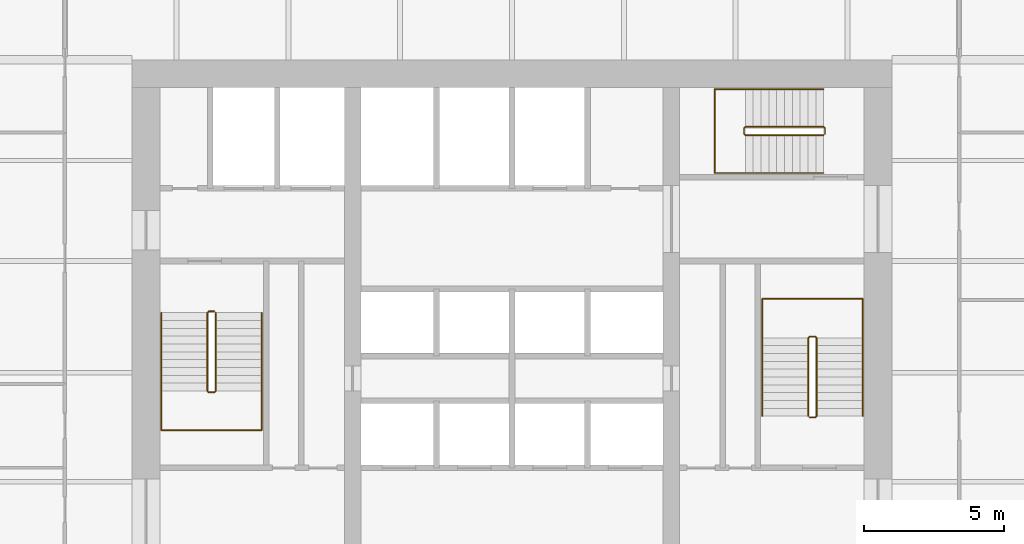
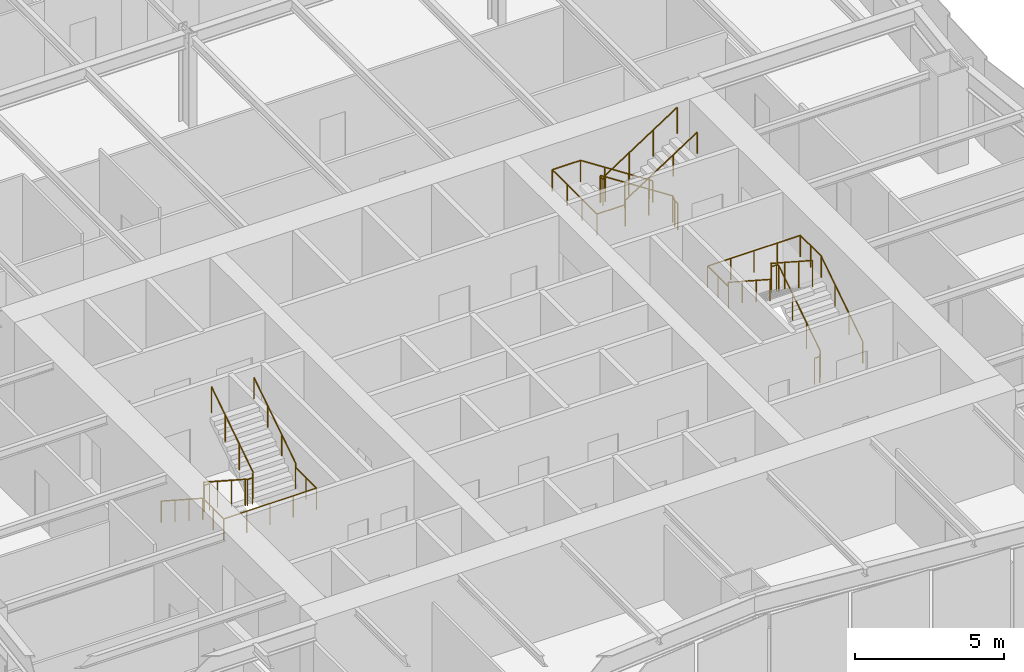
# One storey, part 8 of 8: 6 railings.
"""IFC4 building model written with IfcOpenShell, lengths in metres."""

import ifcopenshell
import ifcopenshell.guid

model = None  # the IFC model being written
_history = None  # IfcOwnerHistory: only IFC2X3 demands one
_inside = {}  # id of a spatial element -> (the spatial element, [elements in it])
_under = {}  # id of a project, library or spatial element -> (it, [spatial elements below it])
_declared = {}  # id of a project -> (the project, [libraries it declares])
_typed = {}  # id of a type object -> (the type object, [elements of that type])
_made_of = {}  # id of a material, layer set ... -> (it, [elements and type objects made of it])


def new_model(schema):
    """Start an empty IFC model of exactly this schema.

    Asked for "IFC4X3", IfcOpenShell would pick the latest addendum, in which some entities
    have other attributes; the version numbers below select the first issue.
    IFC2X3 requires an IfcOwnerHistory on every rooted entity: one is made here for all.
    """
    global model, _history
    if schema == "IFC4X3":
        model = ifcopenshell.file(schema_version=(4, 3, 0, 0))
    else:
        model = ifcopenshell.file(schema=schema)
    _inside.clear()
    _under.clear()
    _declared.clear()
    _typed.clear()
    _made_of.clear()
    _history = None
    if model.schema == "IFC2X3":
        org = make("IfcOrganization", Name="unknown")
        user = make(
            "IfcPersonAndOrganization",
            ThePerson=make("IfcPerson", FamilyName="unknown"),
            TheOrganization=org,
        )
        app = make(
            "IfcApplication",
            ApplicationDeveloper=org,
            Version="unknown",
            ApplicationFullName="unknown",
            ApplicationIdentifier="unknown",
        )
        _history = make(
            "IfcOwnerHistory",
            OwningUser=user,
            OwningApplication=app,
            ChangeAction="ADDED",
            CreationDate=0,
        )
    return model


def make(cls, **values):
    """One entity of the class cls with the attributes given. An attribute that is None is left unset."""
    return model.create_entity(
        cls, **{name: value for name, value in values.items() if value is not None}
    )


def rooted(cls, **values):
    """An entity with a GlobalId (a new one), such as an element, a storey or a relation."""
    return make(cls, GlobalId=ifcopenshell.guid.new(), OwnerHistory=_history, **values)


def si_unit(unit_type, name, prefix=None):
    """IfcSIUnit, for example si_unit("LENGTHUNIT", "METRE", prefix="MILLI")."""
    return make("IfcSIUnit", UnitType=unit_type, Prefix=prefix, Name=name)


def assignment(units):
    """IfcUnitAssignment: the units of a project."""
    return None if units is None else make("IfcUnitAssignment", Units=units)


def point(xyz):
    """IfcCartesianPoint."""
    return None if xyz is None else make("IfcCartesianPoint", Coordinates=xyz)


def direction(xyz):
    """IfcDirection."""
    return None if xyz is None else make("IfcDirection", DirectionRatios=xyz)


def frame(location, z_axis=None, x_axis=None):
    """IfcAxis2Placement3D, a coordinate frame: its origin and axes. An axis left out is left unset."""
    return make(
        "IfcAxis2Placement3D",
        Location=point(location),
        Axis=direction(z_axis),
        RefDirection=direction(x_axis),
    )


def frame_2d(location, x_axis=None):
    """IfcAxis2Placement2D, a coordinate frame in the plane: its origin and x axis."""
    return make(
        "IfcAxis2Placement2D", Location=point(location), RefDirection=direction(x_axis)
    )


def origin():
    """The frame at (0, 0, 0) with its axes left unset."""
    return frame((0.0, 0.0, 0.0))


def origin_2d():
    """The frame at (0, 0) in the plane with its x axis left unset."""
    return frame_2d((0.0, 0.0))


def place(relative_to, where):
    """IfcLocalPlacement: puts the frame where relative to a parent placement (None: the world)."""
    return make(
        "IfcLocalPlacement", PlacementRelTo=relative_to, RelativePlacement=where
    )


def context(
    kind, dimensions, precision=None, world=None, true_north=None, identifier=None
):
    """IfcGeometricRepresentationContext, for example the 3D "Model" context."""
    return make(
        "IfcGeometricRepresentationContext",
        ContextIdentifier=identifier,
        ContextType=kind,
        CoordinateSpaceDimension=dimensions,
        Precision=precision,
        WorldCoordinateSystem=world,
        TrueNorth=true_north,
    )


def subcontext(parent, identifier, kind, view, scale=None):
    """IfcGeometricRepresentationSubContext, for example "Body" below "Model"."""
    return make(
        "IfcGeometricRepresentationSubContext",
        ContextIdentifier=identifier,
        ContextType=kind,
        ParentContext=parent,
        TargetScale=scale,
        TargetView=view,
    )


def project(units=None, contexts=None):
    """IfcProject with its units and contexts."""
    return rooted(
        "IfcProject",
        Name="project",
        RepresentationContexts=contexts,
        UnitsInContext=assignment(units),
    )


def spatial(cls, under=None, at=None, **own):
    """A site, building, storey or space (cls), placed at a placement, below another one or the project."""
    s = rooted(cls, ObjectPlacement=at, **own)
    if under is not None:
        _under.setdefault(under.id(), (under, []))[1].append(s)
    return s


def profile(cls, at=None, kind="AREA", **sizes):
    """A parametric profile (cls). Its sizes go by their IFC names, for example OverallWidth=200.0."""
    return make(cls, ProfileType=kind, Position=at, **sizes)


def circle(**sizes):
    """IfcCircleProfileDef."""
    return profile("IfcCircleProfileDef", **sizes)


def extrude(swept, where, along, depth):
    """IfcExtrudedAreaSolid: the profile swept, set in the frame where, extruded along a direction by depth."""
    return make(
        "IfcExtrudedAreaSolid",
        SweptArea=swept,
        Position=where,
        ExtrudedDirection=direction(along),
        Depth=depth,
    )


def shape(context_of_items, identifier, shape_type, items):
    """IfcShapeRepresentation: the items that make up one representation, for example the "Body"."""
    return make(
        "IfcShapeRepresentation",
        ContextOfItems=context_of_items,
        RepresentationIdentifier=identifier,
        RepresentationType=shape_type,
        Items=items,
    )


def material(Name=None, Category=None):
    """IfcMaterial."""
    return make("IfcMaterial", Name=Name, Category=Category)


def made_of(thing, what):
    """Note that an element or type object is made of a material, layer set ...; save() writes the relation."""
    if what is not None:
        _made_of.setdefault(what.id(), (what, []))[1].append(thing)
    return thing


def type_object(cls, material=None, **own):
    """A type object (cls), such as IfcWallType, which elements share."""
    return made_of(rooted(cls, **own), material)


def element(
    cls,
    number,
    at=None,
    inside=None,
    cuts=None,
    type_object=None,
    material=None,
    context=None,
    identifier="Body",
    shape_type=None,
    held_by="IfcProductDefinitionShape",
    body=None,
    shapes=None,
    **own,
):
    """One element of the class cls, such as IfcWall. Its Tag is "e" and its number.

    at: its placement. inside: the storey or other place that contains it. cuts: it is an
    opening in that element (IfcRelVoidsElement). A single representation is given by context,
    identifier, shape_type and body (its items); several are given by shapes. held_by: the class
    of the entity that holds the representations. save() writes the other relations.
    """
    e = rooted(cls, Tag="e%d" % number, ObjectPlacement=at, **own)
    if body is not None:
        shapes = [shape(context, identifier, shape_type, body)]
    if shapes is not None:
        e.Representation = make(held_by, Representations=shapes)
    if inside is not None:
        _inside.setdefault(inside.id(), (inside, []))[1].append(e)
    if cuts is not None:
        rooted(
            "IfcRelVoidsElement", RelatingBuildingElement=cuts, RelatedOpeningElement=e
        )
    if type_object is not None:
        _typed.setdefault(type_object.id(), (type_object, []))[1].append(e)
    return made_of(e, material)


def aggregate(whole, parts):
    """IfcRelAggregates: a whole, such as a stair, and the parts it consists of."""
    return rooted("IfcRelAggregates", RelatingObject=whole, RelatedObjects=parts)


def save(model, path):
    """Write the relations noted so far, then the file.

    IfcRelAggregates (storeys below a building ...), IfcRelContainedInSpatialStructure (elements
    in a storey), IfcRelDefinesByType, IfcRelAssociatesMaterial and IfcRelDeclares: one each for
    every whole, place, type object, material and project.
    """
    for whole, parts in _under.values():
        aggregate(whole, parts)
    for where, things in _inside.values():
        rooted(
            "IfcRelContainedInSpatialStructure",
            RelatedElements=things,
            RelatingStructure=where,
        )
    for kind, things in _typed.values():
        rooted("IfcRelDefinesByType", RelatedObjects=things, RelatingType=kind)
    for what, things in _made_of.values():
        rooted("IfcRelAssociatesMaterial", RelatedObjects=things, RelatingMaterial=what)
    for by, libraries in _declared.values():
        rooted("IfcRelDeclares", RelatingContext=by, RelatedDefinitions=libraries)
    model.write(path)


model = new_model("IFC4")

# Units and contexts
model_context = context("Model", 3, precision=1e-05, world=origin(), true_north=direction((0.0, 1.0)))
body_context = subcontext(model_context, "Body", "Model", "MODEL_VIEW")
ifc_project = project(units=[si_unit("LENGTHUNIT", "METRE"), si_unit("AREAUNIT", "SQUARE_METRE"), si_unit("VOLUMEUNIT", "CUBIC_METRE"), si_unit("PLANEANGLEUNIT", "RADIAN"), si_unit("MASSUNIT", "GRAM", prefix="KILO")], contexts=[model_context])

# Site, building, storey
site_placement = place(None, origin())
site = spatial("IfcSite", under=ifc_project, at=site_placement, CompositionType="ELEMENT")
building_placement = place(site_placement, origin())
building = spatial("IfcBuilding", under=site, at=building_placement, Name="Verdant Reach Tower", CompositionType="ELEMENT")
storey_placement = place(building_placement, frame((0.0, 0.0, 134.0)))
storey = spatial("IfcBuildingStorey", under=building, at=storey_placement, Name="L30", CompositionType="ELEMENT", Elevation=134.0)

# Railings
ifc_material = material(Name="Stainless steel", Category="steel")
railing_type_1 = type_object("IfcRailingType", Name="CO-GUARD", PredefinedType="GUARDRAIL", material=ifc_material)
railing_1_placement = place(storey_placement, frame((-10.64990234375, 29.60009765625, 0.0)))
element("IfcRailing", 1, at=railing_1_placement, inside=storey, type_object=railing_type_1, Name="L30 ST-1 stair guard 1", PredefinedType="GUARDRAIL", context=body_context, shape_type="SweptSolid", body=[
    extrude(circle(Radius=0.02392578125, at=origin_2d()), frame((0.0, 0.0, 1.076171875), z_axis=(-1.0, 0.0, 0.0), x_axis=(0.0, -1.0, 0.0)), (0.0, 0.0, 1.0), 0.2001953125),
    extrude(circle(Radius=0.02392578125, at=origin_2d()), frame((-0.2001953125, 0.0, 1.076171875), z_axis=(-0.25526617399, -0.256517478764, 0.932222056972), x_axis=(0.708833529934, -0.705375805398, 0.0)), (0.0, 0.0, 1.0), 0.195068359375),
    extrude(circle(Radius=0.02392578125, at=origin_2d()), frame((-0.25, -0.050048828125, 1.2578125), z_axis=(0.0, -0.838705829183, 0.544584733623), x_axis=(1.0, 0.0, 0.0)), (0.0, 0.0, 1.0), 3.338623046875),
    extrude(circle(Radius=0.02392578125, at=origin_2d()), frame((-0.25, -2.85009765625, 3.076171875), z_axis=(0.705375805398, -0.708833529934, 0.0), x_axis=(0.708833529934, 0.705375805398, 0.0)), (0.0, 0.0, 1.0), 0.070556640625),
    extrude(circle(Radius=0.02392578125, at=origin_2d()), frame((-0.2001953125, -2.900146484375, 3.076171875), z_axis=(1.0, 0.0, 0.0), x_axis=(0.0, 1.0, 0.0)), (0.0, 0.0, 1.0), 0.2001953125),
    extrude(circle(Radius=0.02392578125, at=origin_2d()), frame((0.0, -2.900146484375, 3.076171875), z_axis=(0.25526617399, 0.256517478764, 0.932222056972), x_axis=(-0.708833529934, 0.705375805398, 0.0)), (0.0, 0.0, 1.0), 0.195068359375),
    extrude(circle(Radius=0.02392578125, at=origin_2d()), frame((0.0498046875, -2.85009765625, 3.2578125), z_axis=(0.0, 0.838705829183, 0.544584733623), x_axis=(-1.0, 0.0, 0.0)), (0.0, 0.0, 1.0), 3.338623046875),
    extrude(circle(Radius=0.02099609375, at=origin_2d()), origin(), (0.0, 0.0, 1.0), 1.052001953125),
    extrude(circle(Radius=0.02099609375, at=origin_2d()), frame((-0.2001953125, 0.0, 0.0)), (0.0, 0.0, 1.0), 1.052001953125),
    extrude(circle(Radius=0.02099609375, at=origin_2d()), frame((-0.25, -0.050048828125, 0.181884765625)), (0.0, 0.0, 1.0), 1.052001953125),
    extrude(circle(Radius=0.02099609375, at=origin_2d()), frame((-0.25, -0.9833984375, 0.787841796875)), (0.0, 0.0, 1.0), 1.052001953125),
    extrude(circle(Radius=0.02099609375, at=origin_2d()), frame((-0.25, -1.916748046875, 1.39404296875)), (0.0, 0.0, 1.0), 1.052001953125),
    extrude(circle(Radius=0.02099609375, at=origin_2d()), frame((-0.25, -2.85009765625, 2.0)), (0.0, 0.0, 1.0), 1.052001953125),
    extrude(circle(Radius=0.02099609375, at=origin_2d()), frame((-0.2001953125, -2.900146484375, 2.0)), (0.0, 0.0, 1.0), 1.052001953125),
    extrude(circle(Radius=0.02099609375, at=origin_2d()), frame((0.0, -2.900146484375, 2.0)), (0.0, 0.0, 1.0), 1.052001953125),
    extrude(circle(Radius=0.02099609375, at=origin_2d()), frame((0.0498046875, -2.85009765625, 2.181884765625)), (0.0, 0.0, 1.0), 1.052001953125),
    extrude(circle(Radius=0.02099609375, at=origin_2d()), frame((0.0498046875, -1.916748046875, 2.787841796875)), (0.0, 0.0, 1.0), 1.052001953125),
    extrude(circle(Radius=0.02099609375, at=origin_2d()), frame((0.0498046875, -0.9833984375, 3.39404296875)), (0.0, 0.0, 1.0), 1.052001953125),
    extrude(circle(Radius=0.02099609375, at=origin_2d()), frame((0.0498046875, -0.050048828125, 4.0)), (0.0, 0.0, 1.0), 1.052001953125),
])
railing_2_placement = place(storey_placement, frame((10.64990234375, 25.800048828125, 0.0)))
element("IfcRailing", 2, at=railing_2_placement, inside=storey, type_object=railing_type_1, Name="L30 ST-2 stair guard 1", PredefinedType="GUARDRAIL", context=body_context, shape_type="SweptSolid", body=[
    extrude(circle(Radius=0.02392578125, at=origin_2d()), frame((0.0, 0.0, 1.076171875), z_axis=(1.0, 0.0, 0.0), x_axis=(0.0, 1.0, 0.0)), (0.0, 0.0, 1.0), 0.2001953125),
    extrude(circle(Radius=0.02392578125, at=origin_2d()), frame((0.2001953125, 0.0, 1.076171875), z_axis=(0.25526617399, 0.256517478764, 0.932222056972), x_axis=(-0.708833529934, 0.705375805398, 0.0)), (0.0, 0.0, 1.0), 0.195068359375),
    extrude(circle(Radius=0.02392578125, at=origin_2d()), frame((0.25, 0.050048828125, 1.2578125), z_axis=(0.0, 0.83868413941, 0.544618136222), x_axis=(-1.0, 0.0, 0.0)), (0.0, 0.0, 1.0), 3.33837890625),
    extrude(circle(Radius=0.02392578125, at=origin_2d()), frame((0.25, 2.849853515625, 3.076171875), z_axis=(-0.705375805398, 0.708833529934, 0.0), x_axis=(-0.708833529934, -0.705375805398, 0.0)), (0.0, 0.0, 1.0), 0.070556640625),
    extrude(circle(Radius=0.02392578125, at=origin_2d()), frame((0.2001953125, 2.89990234375, 3.076171875), z_axis=(-1.0, 0.0, 0.0), x_axis=(0.0, -1.0, 0.0)), (0.0, 0.0, 1.0), 0.2001953125),
    extrude(circle(Radius=0.02392578125, at=origin_2d()), frame((0.0, 2.89990234375, 3.076171875), z_axis=(-0.25526617399, -0.256517478764, 0.932222056972), x_axis=(0.708833529934, -0.705375805398, 0.0)), (0.0, 0.0, 1.0), 0.195068359375),
    extrude(circle(Radius=0.02392578125, at=origin_2d()), frame((-0.0498046875, 2.849853515625, 3.2578125), z_axis=(0.0, -0.83868413941, 0.544618136222), x_axis=(1.0, 0.0, 0.0)), (0.0, 0.0, 1.0), 3.33837890625),
    extrude(circle(Radius=0.02099609375, at=origin_2d()), origin(), (0.0, 0.0, 1.0), 1.052001953125),
    extrude(circle(Radius=0.02099609375, at=origin_2d()), frame((0.2001953125, 0.0, 0.0)), (0.0, 0.0, 1.0), 1.052001953125),
    extrude(circle(Radius=0.02099609375, at=origin_2d()), frame((0.25, 0.050048828125, 0.181884765625)), (0.0, 0.0, 1.0), 1.052001953125),
    extrude(circle(Radius=0.02099609375, at=origin_2d()), frame((0.25, 0.9833984375, 0.787841796875)), (0.0, 0.0, 1.0), 1.052001953125),
    extrude(circle(Radius=0.02099609375, at=origin_2d()), frame((0.25, 1.91650390625, 1.39404296875)), (0.0, 0.0, 1.0), 1.052001953125),
    extrude(circle(Radius=0.02099609375, at=origin_2d()), frame((0.25, 2.849853515625, 2.0)), (0.0, 0.0, 1.0), 1.052001953125),
    extrude(circle(Radius=0.02099609375, at=origin_2d()), frame((0.2001953125, 2.89990234375, 2.0)), (0.0, 0.0, 1.0), 1.052001953125),
    extrude(circle(Radius=0.02099609375, at=origin_2d()), frame((0.0, 2.89990234375, 2.0)), (0.0, 0.0, 1.0), 1.052001953125),
    extrude(circle(Radius=0.02099609375, at=origin_2d()), frame((-0.0498046875, 2.849853515625, 2.181884765625)), (0.0, 0.0, 1.0), 1.052001953125),
    extrude(circle(Radius=0.02099609375, at=origin_2d()), frame((-0.0498046875, 1.91650390625, 2.787841796875)), (0.0, 0.0, 1.0), 1.052001953125),
    extrude(circle(Radius=0.02099609375, at=origin_2d()), frame((-0.0498046875, 0.9833984375, 3.39404296875)), (0.0, 0.0, 1.0), 1.052001953125),
    extrude(circle(Radius=0.02099609375, at=origin_2d()), frame((-0.0498046875, 0.050048828125, 4.0)), (0.0, 0.0, 1.0), 1.052001953125),
])
railing_3_placement = place(storey_placement, frame((11.199951171875, 35.949951171875, 0.0)))
element("IfcRailing", 3, at=railing_3_placement, inside=storey, type_object=railing_type_1, Name="L30 ST-3 stair guard 1", PredefinedType="GUARDRAIL", context=body_context, shape_type="SweptSolid", body=[
    extrude(circle(Radius=0.02392578125, at=origin_2d()), frame((0.0, 0.0, 1.076171875), z_axis=(0.0, 1.0, 0.0), x_axis=(-1.0, 0.0, 0.0)), (0.0, 0.0, 1.0), 0.199951171875),
    extrude(circle(Radius=0.02392578125, at=origin_2d()), frame((0.0, 0.199951171875, 1.076171875), z_axis=(-0.256435381639, 0.256435381639, 0.931923704005), x_axis=(-0.707106781187, -0.707106781187, 0.0)), (0.0, 0.0, 1.0), 0.195068359375),
    extrude(circle(Radius=0.02392578125, at=origin_2d()), frame((-0.050048828125, 0.25, 1.2578125), z_axis=(-0.83868413941, 0.0, 0.544618136222), x_axis=(0.0, -1.0, 0.0)), (0.0, 0.0, 1.0), 3.33837890625),
    extrude(circle(Radius=0.02392578125, at=origin_2d()), frame((-2.849853515625, 0.25, 3.076171875), z_axis=(-0.707106781187, -0.707106781187, 0.0), x_axis=(0.707106781187, -0.707106781187, 0.0)), (0.0, 0.0, 1.0), 0.07080078125),
    extrude(circle(Radius=0.02392578125, at=origin_2d()), frame((-2.89990234375, 0.199951171875, 3.076171875), z_axis=(0.0, -1.0, 0.0), x_axis=(1.0, 0.0, 0.0)), (0.0, 0.0, 1.0), 0.199951171875),
    extrude(circle(Radius=0.02392578125, at=origin_2d()), frame((-2.89990234375, 0.0, 3.076171875), z_axis=(0.256435381639, -0.256435381639, 0.931923704005), x_axis=(0.707106781187, 0.707106781187, 0.0)), (0.0, 0.0, 1.0), 0.195068359375),
    extrude(circle(Radius=0.02392578125, at=origin_2d()), frame((-2.849853515625, -0.050048828125, 3.2578125), z_axis=(0.83868413941, 0.0, 0.544618136222), x_axis=(0.0, 1.0, 0.0)), (0.0, 0.0, 1.0), 3.33837890625),
    extrude(circle(Radius=0.02099609375, at=origin_2d()), origin(), (0.0, 0.0, 1.0), 1.052001953125),
    extrude(circle(Radius=0.02099609375, at=origin_2d()), frame((0.0, 0.199951171875, 0.0)), (0.0, 0.0, 1.0), 1.052001953125),
    extrude(circle(Radius=0.02099609375, at=origin_2d()), frame((-0.050048828125, 0.25, 0.181884765625)), (0.0, 0.0, 1.0), 1.052001953125),
    extrude(circle(Radius=0.02099609375, at=origin_2d()), frame((-0.9833984375, 0.25, 0.787841796875)), (0.0, 0.0, 1.0), 1.052001953125),
    extrude(circle(Radius=0.02099609375, at=origin_2d()), frame((-1.91650390625, 0.25, 1.39404296875)), (0.0, 0.0, 1.0), 1.052001953125),
    extrude(circle(Radius=0.02099609375, at=origin_2d()), frame((-2.849853515625, 0.25, 2.0)), (0.0, 0.0, 1.0), 1.052001953125),
    extrude(circle(Radius=0.02099609375, at=origin_2d()), frame((-2.89990234375, 0.199951171875, 2.0)), (0.0, 0.0, 1.0), 1.052001953125),
    extrude(circle(Radius=0.02099609375, at=origin_2d()), frame((-2.89990234375, 0.0, 2.0)), (0.0, 0.0, 1.0), 1.052001953125),
    extrude(circle(Radius=0.02099609375, at=origin_2d()), frame((-2.849853515625, -0.050048828125, 2.181884765625)), (0.0, 0.0, 1.0), 1.052001953125),
    extrude(circle(Radius=0.02099609375, at=origin_2d()), frame((-1.91650390625, -0.050048828125, 2.787841796875)), (0.0, 0.0, 1.0), 1.052001953125),
    extrude(circle(Radius=0.02099609375, at=origin_2d()), frame((-0.9833984375, -0.050048828125, 3.39404296875)), (0.0, 0.0, 1.0), 1.052001953125),
    extrude(circle(Radius=0.02099609375, at=origin_2d()), frame((-0.050048828125, -0.050048828125, 4.0)), (0.0, 0.0, 1.0), 1.052001953125),
])
railing_type_2 = type_object("IfcRailingType", Name="CO-HANDRAIL", PredefinedType="HANDRAIL", material=ifc_material)
railing_4_placement = place(storey_placement, frame((-12.550048828125, 29.550048828125, 0.181884765625)))
element("IfcRailing", 4, at=railing_4_placement, inside=storey, type_object=railing_type_2, Name="L30 ST-1 stair handrail 1", PredefinedType="HANDRAIL", context=body_context, shape_type="SweptSolid", body=[
    extrude(circle(Radius=0.02392578125, at=origin_2d()), frame((0.0, 0.0, 0.8759765625), z_axis=(0.0, -0.838705829183, 0.544584733623), x_axis=(1.0, 0.0, 0.0)), (0.0, 0.0, 1.0), 3.338623046875),
    extrude(circle(Radius=0.02392578125, at=origin_2d()), frame((0.0, -2.800048828125, 2.69384765625), z_axis=(0.0, -1.0, 0.0), x_axis=(1.0, 0.0, 0.0)), (0.0, 0.0, 1.0), 1.39990234375),
    extrude(circle(Radius=0.02392578125, at=origin_2d()), frame((0.0, -4.199951171875, 2.69384765625), z_axis=(1.0, 0.0, 0.0), x_axis=(0.0, 1.0, 0.0)), (0.0, 0.0, 1.0), 3.60009765625),
    extrude(circle(Radius=0.02392578125, at=origin_2d()), frame((3.60009765625, -4.199951171875, 2.69384765625), z_axis=(0.0, 1.0, 0.0), x_axis=(-1.0, 0.0, 0.0)), (0.0, 0.0, 1.0), 1.39990234375),
    extrude(circle(Radius=0.02392578125, at=origin_2d()), frame((3.60009765625, -2.800048828125, 2.69384765625), z_axis=(0.0, 0.0, 1.0), x_axis=(1.0, 0.0, 0.0)), (0.0, 0.0, 1.0), 0.181884765625),
    extrude(circle(Radius=0.02392578125, at=origin_2d()), frame((3.60009765625, -2.800048828125, 2.8759765625), z_axis=(0.0, 0.838705829183, 0.544584733623), x_axis=(-1.0, 0.0, 0.0)), (0.0, 0.0, 1.0), 3.338623046875),
    extrude(circle(Radius=0.02099609375, at=origin_2d()), origin(), (0.0, 0.0, 1.0), 0.851806640625),
    extrude(circle(Radius=0.02099609375, at=origin_2d()), frame((0.0, -0.933349609375, 0.60595703125)), (0.0, 0.0, 1.0), 0.851806640625),
    extrude(circle(Radius=0.02099609375, at=origin_2d()), frame((0.0, -1.86669921875, 1.212158203125)), (0.0, 0.0, 1.0), 0.851806640625),
    extrude(circle(Radius=0.02099609375, at=origin_2d()), frame((0.0, -2.800048828125, 1.818115234375)), (0.0, 0.0, 1.0), 0.851806640625),
    extrude(circle(Radius=0.02099609375, at=origin_2d()), frame((0.0, -3.5, 1.818115234375)), (0.0, 0.0, 1.0), 0.851806640625),
    extrude(circle(Radius=0.02099609375, at=origin_2d()), frame((0.0, -4.199951171875, 1.818115234375)), (0.0, 0.0, 1.0), 0.851806640625),
    extrude(circle(Radius=0.02099609375, at=origin_2d()), frame((0.89990234375, -4.199951171875, 1.818115234375)), (0.0, 0.0, 1.0), 0.851806640625),
    extrude(circle(Radius=0.02099609375, at=origin_2d()), frame((1.800048828125, -4.199951171875, 1.818115234375)), (0.0, 0.0, 1.0), 0.851806640625),
    extrude(circle(Radius=0.02099609375, at=origin_2d()), frame((2.7001953125, -4.199951171875, 1.818115234375)), (0.0, 0.0, 1.0), 0.851806640625),
    extrude(circle(Radius=0.02099609375, at=origin_2d()), frame((3.60009765625, -4.199951171875, 1.818115234375)), (0.0, 0.0, 1.0), 0.851806640625),
    extrude(circle(Radius=0.02099609375, at=origin_2d()), frame((3.60009765625, -3.5, 1.818115234375)), (0.0, 0.0, 1.0), 0.851806640625),
    extrude(circle(Radius=0.02099609375, at=origin_2d()), frame((3.60009765625, -2.800048828125, 1.818115234375)), (0.0, 0.0, 1.0), 0.851806640625),
    extrude(circle(Radius=0.02099609375, at=origin_2d()), frame((3.60009765625, -2.800048828125, 2.0)), (0.0, 0.0, 1.0), 0.851806640625),
    extrude(circle(Radius=0.02099609375, at=origin_2d()), frame((3.60009765625, -1.86669921875, 2.60595703125)), (0.0, 0.0, 1.0), 0.851806640625),
    extrude(circle(Radius=0.02099609375, at=origin_2d()), frame((3.60009765625, -0.933349609375, 3.212158203125)), (0.0, 0.0, 1.0), 0.851806640625),
    extrude(circle(Radius=0.02099609375, at=origin_2d()), frame((3.60009765625, 0.0, 3.818115234375)), (0.0, 0.0, 1.0), 0.851806640625),
])
railing_5_placement = place(storey_placement, frame((12.550048828125, 25.85009765625, 0.181884765625)))
element("IfcRailing", 5, at=railing_5_placement, inside=storey, type_object=railing_type_2, Name="L30 ST-2 stair handrail 1", PredefinedType="HANDRAIL", context=body_context, shape_type="SweptSolid", body=[
    extrude(circle(Radius=0.02392578125, at=origin_2d()), frame((0.0, 0.0, 0.8759765625), z_axis=(0.0, 0.83868413941, 0.544618136222), x_axis=(-1.0, 0.0, 0.0)), (0.0, 0.0, 1.0), 3.33837890625),
    extrude(circle(Radius=0.02392578125, at=origin_2d()), frame((0.0, 2.7998046875, 2.69384765625), z_axis=(0.0, 1.0, 0.0), x_axis=(-1.0, 0.0, 0.0)), (0.0, 0.0, 1.0), 1.400146484375),
    extrude(circle(Radius=0.02392578125, at=origin_2d()), frame((0.0, 4.199951171875, 2.69384765625), z_axis=(-1.0, 0.0, 0.0), x_axis=(0.0, -1.0, 0.0)), (0.0, 0.0, 1.0), 3.60009765625),
    extrude(circle(Radius=0.02392578125, at=origin_2d()), frame((-3.60009765625, 4.199951171875, 2.69384765625), z_axis=(0.0, -1.0, 0.0), x_axis=(1.0, 0.0, 0.0)), (0.0, 0.0, 1.0), 1.400146484375),
    extrude(circle(Radius=0.02392578125, at=origin_2d()), frame((-3.60009765625, 2.7998046875, 2.69384765625), z_axis=(0.0, 0.0, 1.0), x_axis=(1.0, 0.0, 0.0)), (0.0, 0.0, 1.0), 0.181884765625),
    extrude(circle(Radius=0.02392578125, at=origin_2d()), frame((-3.60009765625, 2.7998046875, 2.8759765625), z_axis=(0.0, -0.83868413941, 0.544618136222), x_axis=(1.0, 0.0, 0.0)), (0.0, 0.0, 1.0), 3.33837890625),
    extrude(circle(Radius=0.02099609375, at=origin_2d()), origin(), (0.0, 0.0, 1.0), 0.851806640625),
    extrude(circle(Radius=0.02099609375, at=origin_2d()), frame((0.0, 0.933349609375, 0.60595703125)), (0.0, 0.0, 1.0), 0.851806640625),
    extrude(circle(Radius=0.02099609375, at=origin_2d()), frame((0.0, 1.866455078125, 1.212158203125)), (0.0, 0.0, 1.0), 0.851806640625),
    extrude(circle(Radius=0.02099609375, at=origin_2d()), frame((0.0, 2.7998046875, 1.818115234375)), (0.0, 0.0, 1.0), 0.851806640625),
    extrude(circle(Radius=0.02099609375, at=origin_2d()), frame((0.0, 3.5, 1.818115234375)), (0.0, 0.0, 1.0), 0.851806640625),
    extrude(circle(Radius=0.02099609375, at=origin_2d()), frame((0.0, 4.199951171875, 1.818115234375)), (0.0, 0.0, 1.0), 0.851806640625),
    extrude(circle(Radius=0.02099609375, at=origin_2d()), frame((-0.89990234375, 4.199951171875, 1.818115234375)), (0.0, 0.0, 1.0), 0.851806640625),
    extrude(circle(Radius=0.02099609375, at=origin_2d()), frame((-1.800048828125, 4.199951171875, 1.818115234375)), (0.0, 0.0, 1.0), 0.851806640625),
    extrude(circle(Radius=0.02099609375, at=origin_2d()), frame((-2.7001953125, 4.199951171875, 1.818115234375)), (0.0, 0.0, 1.0), 0.851806640625),
    extrude(circle(Radius=0.02099609375, at=origin_2d()), frame((-3.60009765625, 4.199951171875, 1.818115234375)), (0.0, 0.0, 1.0), 0.851806640625),
    extrude(circle(Radius=0.02099609375, at=origin_2d()), frame((-3.60009765625, 3.5, 1.818115234375)), (0.0, 0.0, 1.0), 0.851806640625),
    extrude(circle(Radius=0.02099609375, at=origin_2d()), frame((-3.60009765625, 2.7998046875, 1.818115234375)), (0.0, 0.0, 1.0), 0.851806640625),
    extrude(circle(Radius=0.02099609375, at=origin_2d()), frame((-3.60009765625, 2.7998046875, 2.0)), (0.0, 0.0, 1.0), 0.851806640625),
    extrude(circle(Radius=0.02099609375, at=origin_2d()), frame((-3.60009765625, 1.866455078125, 2.60595703125)), (0.0, 0.0, 1.0), 0.851806640625),
    extrude(circle(Radius=0.02099609375, at=origin_2d()), frame((-3.60009765625, 0.933349609375, 3.212158203125)), (0.0, 0.0, 1.0), 0.851806640625),
    extrude(circle(Radius=0.02099609375, at=origin_2d()), frame((-3.60009765625, 0.0, 3.818115234375)), (0.0, 0.0, 1.0), 0.851806640625),
])
railing_6_placement = place(storey_placement, frame((11.14990234375, 37.550048828125, 0.181884765625)))
element("IfcRailing", 6, at=railing_6_placement, inside=storey, type_object=railing_type_2, Name="L30 ST-3 stair handrail 1", PredefinedType="HANDRAIL", context=body_context, shape_type="SweptSolid", body=[
    extrude(circle(Radius=0.02392578125, at=origin_2d()), frame((0.0, 0.0, 0.8759765625), z_axis=(-0.83868413941, 0.0, 0.544618136222), x_axis=(0.0, -1.0, 0.0)), (0.0, 0.0, 1.0), 3.33837890625),
    extrude(circle(Radius=0.02392578125, at=origin_2d()), frame((-2.7998046875, 0.0, 2.69384765625), z_axis=(-1.0, 0.0, 0.0), x_axis=(0.0, -1.0, 0.0)), (0.0, 0.0, 1.0), 1.10009765625),
    extrude(circle(Radius=0.02392578125, at=origin_2d()), frame((-3.89990234375, 0.0, 2.69384765625), z_axis=(0.0, -1.0, 0.0), x_axis=(1.0, 0.0, 0.0)), (0.0, 0.0, 1.0), 3.0),
    extrude(circle(Radius=0.02392578125, at=origin_2d()), frame((-3.89990234375, -3.0, 2.69384765625), z_axis=(1.0, 0.0, 0.0), x_axis=(0.0, 1.0, 0.0)), (0.0, 0.0, 1.0), 1.10009765625),
    extrude(circle(Radius=0.02392578125, at=origin_2d()), frame((-2.7998046875, -3.0, 2.69384765625), z_axis=(0.0, 0.0, 1.0), x_axis=(1.0, 0.0, 0.0)), (0.0, 0.0, 1.0), 0.181884765625),
    extrude(circle(Radius=0.02392578125, at=origin_2d()), frame((-2.7998046875, -3.0, 2.8759765625), z_axis=(0.83868413941, 0.0, 0.544618136222), x_axis=(0.0, 1.0, 0.0)), (0.0, 0.0, 1.0), 3.33837890625),
    extrude(circle(Radius=0.02099609375, at=origin_2d()), origin(), (0.0, 0.0, 1.0), 0.851806640625),
    extrude(circle(Radius=0.02099609375, at=origin_2d()), frame((-0.933349609375, 0.0, 0.60595703125)), (0.0, 0.0, 1.0), 0.851806640625),
    extrude(circle(Radius=0.02099609375, at=origin_2d()), frame((-1.866455078125, 0.0, 1.212158203125)), (0.0, 0.0, 1.0), 0.851806640625),
    extrude(circle(Radius=0.02099609375, at=origin_2d()), frame((-2.7998046875, 0.0, 1.818115234375)), (0.0, 0.0, 1.0), 0.851806640625),
    extrude(circle(Radius=0.02099609375, at=origin_2d()), frame((-3.89990234375, 0.0, 1.818115234375)), (0.0, 0.0, 1.0), 0.851806640625),
    extrude(circle(Radius=0.02099609375, at=origin_2d()), frame((-3.89990234375, -1.0, 1.818115234375)), (0.0, 0.0, 1.0), 0.851806640625),
    extrude(circle(Radius=0.02099609375, at=origin_2d()), frame((-3.89990234375, -2.0, 1.818115234375)), (0.0, 0.0, 1.0), 0.851806640625),
    extrude(circle(Radius=0.02099609375, at=origin_2d()), frame((-3.89990234375, -3.0, 1.818115234375)), (0.0, 0.0, 1.0), 0.851806640625),
    extrude(circle(Radius=0.02099609375, at=origin_2d()), frame((-2.7998046875, -3.0, 1.818115234375)), (0.0, 0.0, 1.0), 0.851806640625),
    extrude(circle(Radius=0.02099609375, at=origin_2d()), frame((-2.7998046875, -3.0, 2.0)), (0.0, 0.0, 1.0), 0.851806640625),
    extrude(circle(Radius=0.02099609375, at=origin_2d()), frame((-1.866455078125, -3.0, 2.60595703125)), (0.0, 0.0, 1.0), 0.851806640625),
    extrude(circle(Radius=0.02099609375, at=origin_2d()), frame((-0.933349609375, -3.0, 3.212158203125)), (0.0, 0.0, 1.0), 0.851806640625),
    extrude(circle(Radius=0.02099609375, at=origin_2d()), frame((0.0, -3.0, 3.818115234375)), (0.0, 0.0, 1.0), 0.851806640625),
])

save(model, "model.ifc")
